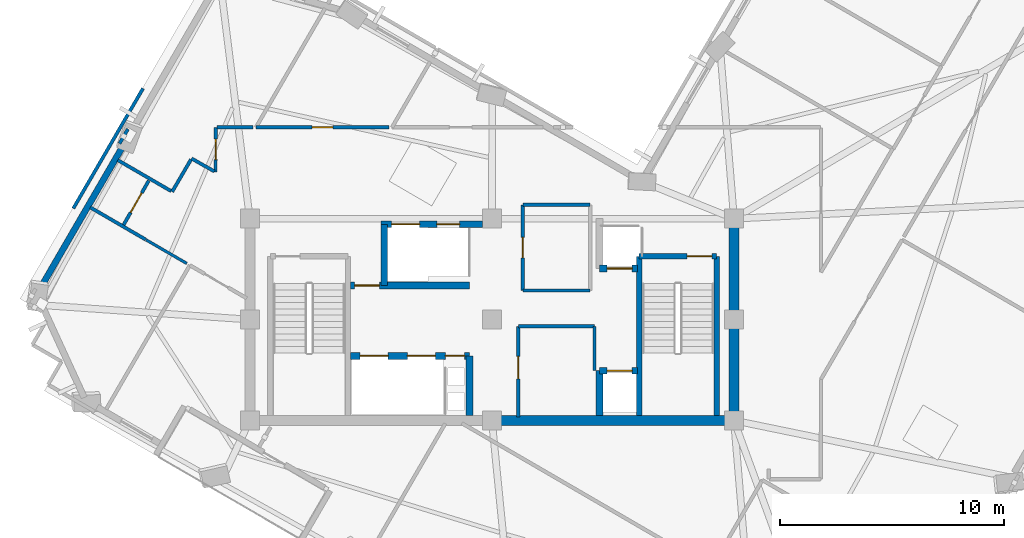
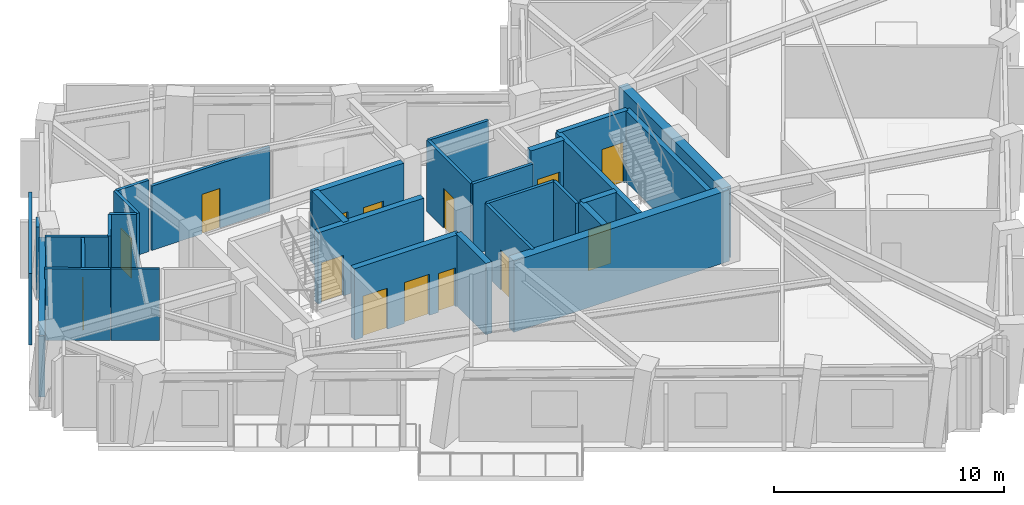
# One storey, part 5 of 12: 31 walls, 14 doors, 14 openings.
"""IFC4 building model written with IfcOpenShell, lengths in metres."""

import ifcopenshell
import ifcopenshell.guid

model = None  # the IFC model being written
_history = None  # IfcOwnerHistory: only IFC2X3 demands one
_inside = {}  # id of a spatial element -> (the spatial element, [elements in it])
_under = {}  # id of a project, library or spatial element -> (it, [spatial elements below it])
_declared = {}  # id of a project -> (the project, [libraries it declares])
_typed = {}  # id of a type object -> (the type object, [elements of that type])
_made_of = {}  # id of a material, layer set ... -> (it, [elements and type objects made of it])


def new_model(schema):
    """Start an empty IFC model of exactly this schema.

    Asked for "IFC4X3", IfcOpenShell would pick the latest addendum, in which some entities
    have other attributes; the version numbers below select the first issue.
    IFC2X3 requires an IfcOwnerHistory on every rooted entity: one is made here for all.
    """
    global model, _history
    if schema == "IFC4X3":
        model = ifcopenshell.file(schema_version=(4, 3, 0, 0))
    else:
        model = ifcopenshell.file(schema=schema)
    _inside.clear()
    _under.clear()
    _declared.clear()
    _typed.clear()
    _made_of.clear()
    _history = None
    if model.schema == "IFC2X3":
        org = make("IfcOrganization", Name="unknown")
        user = make(
            "IfcPersonAndOrganization",
            ThePerson=make("IfcPerson", FamilyName="unknown"),
            TheOrganization=org,
        )
        app = make(
            "IfcApplication",
            ApplicationDeveloper=org,
            Version="unknown",
            ApplicationFullName="unknown",
            ApplicationIdentifier="unknown",
        )
        _history = make(
            "IfcOwnerHistory",
            OwningUser=user,
            OwningApplication=app,
            ChangeAction="ADDED",
            CreationDate=0,
        )
    return model


def make(cls, **values):
    """One entity of the class cls with the attributes given. An attribute that is None is left unset."""
    return model.create_entity(
        cls, **{name: value for name, value in values.items() if value is not None}
    )


def rooted(cls, **values):
    """An entity with a GlobalId (a new one), such as an element, a storey or a relation."""
    return make(cls, GlobalId=ifcopenshell.guid.new(), OwnerHistory=_history, **values)


def si_unit(unit_type, name, prefix=None):
    """IfcSIUnit, for example si_unit("LENGTHUNIT", "METRE", prefix="MILLI")."""
    return make("IfcSIUnit", UnitType=unit_type, Prefix=prefix, Name=name)


def assignment(units):
    """IfcUnitAssignment: the units of a project."""
    return None if units is None else make("IfcUnitAssignment", Units=units)


def point(xyz):
    """IfcCartesianPoint."""
    return None if xyz is None else make("IfcCartesianPoint", Coordinates=xyz)


def direction(xyz):
    """IfcDirection."""
    return None if xyz is None else make("IfcDirection", DirectionRatios=xyz)


def frame(location, z_axis=None, x_axis=None):
    """IfcAxis2Placement3D, a coordinate frame: its origin and axes. An axis left out is left unset."""
    return make(
        "IfcAxis2Placement3D",
        Location=point(location),
        Axis=direction(z_axis),
        RefDirection=direction(x_axis),
    )


def frame_2d(location, x_axis=None):
    """IfcAxis2Placement2D, a coordinate frame in the plane: its origin and x axis."""
    return make(
        "IfcAxis2Placement2D", Location=point(location), RefDirection=direction(x_axis)
    )


def origin():
    """The frame at (0, 0, 0) with its axes left unset."""
    return frame((0.0, 0.0, 0.0))


def place(relative_to, where):
    """IfcLocalPlacement: puts the frame where relative to a parent placement (None: the world)."""
    return make(
        "IfcLocalPlacement", PlacementRelTo=relative_to, RelativePlacement=where
    )


def context(
    kind, dimensions, precision=None, world=None, true_north=None, identifier=None
):
    """IfcGeometricRepresentationContext, for example the 3D "Model" context."""
    return make(
        "IfcGeometricRepresentationContext",
        ContextIdentifier=identifier,
        ContextType=kind,
        CoordinateSpaceDimension=dimensions,
        Precision=precision,
        WorldCoordinateSystem=world,
        TrueNorth=true_north,
    )


def subcontext(parent, identifier, kind, view, scale=None):
    """IfcGeometricRepresentationSubContext, for example "Body" below "Model"."""
    return make(
        "IfcGeometricRepresentationSubContext",
        ContextIdentifier=identifier,
        ContextType=kind,
        ParentContext=parent,
        TargetScale=scale,
        TargetView=view,
    )


def project(units=None, contexts=None):
    """IfcProject with its units and contexts."""
    return rooted(
        "IfcProject",
        Name="project",
        RepresentationContexts=contexts,
        UnitsInContext=assignment(units),
    )


def spatial(cls, under=None, at=None, **own):
    """A site, building, storey or space (cls), placed at a placement, below another one or the project."""
    s = rooted(cls, ObjectPlacement=at, **own)
    if under is not None:
        _under.setdefault(under.id(), (under, []))[1].append(s)
    return s


def profile(cls, at=None, kind="AREA", **sizes):
    """A parametric profile (cls). Its sizes go by their IFC names, for example OverallWidth=200.0."""
    return make(cls, ProfileType=kind, Position=at, **sizes)


def rectangle(**sizes):
    """IfcRectangleProfileDef."""
    return profile("IfcRectangleProfileDef", **sizes)


def extrude(swept, where, along, depth):
    """IfcExtrudedAreaSolid: the profile swept, set in the frame where, extruded along a direction by depth."""
    return make(
        "IfcExtrudedAreaSolid",
        SweptArea=swept,
        Position=where,
        ExtrudedDirection=direction(along),
        Depth=depth,
    )


def shape(context_of_items, identifier, shape_type, items):
    """IfcShapeRepresentation: the items that make up one representation, for example the "Body"."""
    return make(
        "IfcShapeRepresentation",
        ContextOfItems=context_of_items,
        RepresentationIdentifier=identifier,
        RepresentationType=shape_type,
        Items=items,
    )


def material(Name=None, Category=None):
    """IfcMaterial."""
    return make("IfcMaterial", Name=Name, Category=Category)


def layer(
    of_material, thickness, ventilated=None, Name=None, Category=None, Priority=None
):
    """IfcMaterialLayer: one layer of a wall or slab, of a material (None: an air gap)."""
    return make(
        "IfcMaterialLayer",
        Material=of_material,
        LayerThickness=thickness,
        IsVentilated=ventilated,
        Name=Name,
        Category=Category,
        Priority=Priority,
    )


def layer_set(layers, Name=None):
    """IfcMaterialLayerSet."""
    return make("IfcMaterialLayerSet", MaterialLayers=layers, LayerSetName=Name)


def made_of(thing, what):
    """Note that an element or type object is made of a material, layer set ...; save() writes the relation."""
    if what is not None:
        _made_of.setdefault(what.id(), (what, []))[1].append(thing)
    return thing


def type_object(cls, material=None, **own):
    """A type object (cls), such as IfcWallType, which elements share."""
    return made_of(rooted(cls, **own), material)


def element(
    cls,
    number,
    at=None,
    inside=None,
    cuts=None,
    type_object=None,
    material=None,
    context=None,
    identifier="Body",
    shape_type=None,
    held_by="IfcProductDefinitionShape",
    body=None,
    shapes=None,
    **own,
):
    """One element of the class cls, such as IfcWall. Its Tag is "e" and its number.

    at: its placement. inside: the storey or other place that contains it. cuts: it is an
    opening in that element (IfcRelVoidsElement). A single representation is given by context,
    identifier, shape_type and body (its items); several are given by shapes. held_by: the class
    of the entity that holds the representations. save() writes the other relations.
    """
    e = rooted(cls, Tag="e%d" % number, ObjectPlacement=at, **own)
    if body is not None:
        shapes = [shape(context, identifier, shape_type, body)]
    if shapes is not None:
        e.Representation = make(held_by, Representations=shapes)
    if inside is not None:
        _inside.setdefault(inside.id(), (inside, []))[1].append(e)
    if cuts is not None:
        rooted(
            "IfcRelVoidsElement", RelatingBuildingElement=cuts, RelatedOpeningElement=e
        )
    if type_object is not None:
        _typed.setdefault(type_object.id(), (type_object, []))[1].append(e)
    return made_of(e, material)


def fill(opening, filler):
    """IfcRelFillsElement: the door or window that sits in an opening."""
    return rooted(
        "IfcRelFillsElement",
        RelatingOpeningElement=opening,
        RelatedBuildingElement=filler,
    )


def aggregate(whole, parts):
    """IfcRelAggregates: a whole, such as a stair, and the parts it consists of."""
    return rooted("IfcRelAggregates", RelatingObject=whole, RelatedObjects=parts)


def save(model, path):
    """Write the relations noted so far, then the file.

    IfcRelAggregates (storeys below a building ...), IfcRelContainedInSpatialStructure (elements
    in a storey), IfcRelDefinesByType, IfcRelAssociatesMaterial and IfcRelDeclares: one each for
    every whole, place, type object, material and project.
    """
    for whole, parts in _under.values():
        aggregate(whole, parts)
    for where, things in _inside.values():
        rooted(
            "IfcRelContainedInSpatialStructure",
            RelatedElements=things,
            RelatingStructure=where,
        )
    for kind, things in _typed.values():
        rooted("IfcRelDefinesByType", RelatedObjects=things, RelatingType=kind)
    for what, things in _made_of.values():
        rooted("IfcRelAssociatesMaterial", RelatedObjects=things, RelatingMaterial=what)
    for by, libraries in _declared.values():
        rooted("IfcRelDeclares", RelatingContext=by, RelatedDefinitions=libraries)
    model.write(path)


model = new_model("IFC4")

# Units and contexts
model_context = context("Model", 3, precision=1e-05, world=origin(), true_north=direction((0.0, 1.0)))
body_context = subcontext(model_context, "Body", "Model", "MODEL_VIEW")
ifc_project = project(units=[si_unit("LENGTHUNIT", "METRE"), si_unit("AREAUNIT", "SQUARE_METRE"), si_unit("VOLUMEUNIT", "CUBIC_METRE"), si_unit("PLANEANGLEUNIT", "RADIAN"), si_unit("MASSUNIT", "GRAM", prefix="KILO")], contexts=[model_context])

# Site, building, storey
site_placement = place(None, origin())
site = spatial("IfcSite", under=ifc_project, at=site_placement, CompositionType="ELEMENT")
building_placement = place(site_placement, origin())
building = spatial("IfcBuilding", under=site, at=building_placement, Name="Gaonmaruhae Medical Tower", CompositionType="ELEMENT")
storey_placement = place(building_placement, frame((0.0, 0.0, 280.60009765625)))
storey = spatial("IfcBuildingStorey", under=building, at=storey_placement, Name="L67", CompositionType="ELEMENT", Elevation=280.60009765625)

# Walls
ifc_material_1 = material(Name="Concrete C50/60", Category="concrete")
ifc_layer_1 = layer(ifc_material_1, 0.449951171875)
ifc_layer_set_1 = layer_set([ifc_layer_1], Name="Concrete C50/60")
wall_type_1 = type_object("IfcWallType", Name="CW-450 Upper Core Shear Wall", PredefinedType="SHEAR", material=ifc_layer_set_1)
wall_1_placement = place(storey_placement, frame((24.800048828125, 7.800048828125, 0.0), z_axis=(0.0, 0.0, 1.0), x_axis=(1.0, 0.0, 0.0)))
element("IfcWall", 1, at=wall_1_placement, inside=storey, type_object=wall_type_1, Name="L67 Core Shear Wall CSW-S2", PredefinedType="SHEAR", context=body_context, shape_type="SweptSolid", body=[
    extrude(rectangle(XDim=10.800048828125, YDim=0.449951171875, at=frame_2d((5.39990234375, 0.0))), origin(), (0.0, 0.0, 1.0), 3.77978515625),
])
wall_2_placement = place(storey_placement, frame((35.60009765625, 7.800048828125, 0.0), z_axis=(0.0, 0.0, 1.0), x_axis=(0.0, 1.0, 0.0)))
element("IfcWall", 2, at=wall_2_placement, inside=storey, type_object=wall_type_1, Name="L67 Core Shear Wall CSW-E1", PredefinedType="SHEAR", context=body_context, shape_type="SweptSolid", body=[
    extrude(rectangle(XDim=9.0, YDim=0.449951171875, at=frame_2d((4.5, 0.0))), origin(), (0.0, 0.0, 1.0), 3.77978515625),
])
ifc_material_2 = material(Name="Precast concrete C45/55", Category="concrete")
ifc_layer_2 = layer(ifc_material_2, 0.280029296875)
ifc_layer_set_2 = layer_set([ifc_layer_2], Name="Precast concrete C45/55")
wall_type_2 = type_object("IfcWallType", Name="EW-280 Upper Precast Masonry-Frame Facade Wall", PredefinedType="SOLIDWALL", material=ifc_layer_set_2)
wall_3_placement = place(storey_placement, frame((4.59228515625, 13.583984375, 0.0), z_axis=(0.0, 0.0, 1.0), x_axis=(0.502274010262, 0.864708516562, 0.0)))
element("IfcWall", 3, at=wall_3_placement, inside=storey, type_object=wall_type_2, Name="L67 Precast Masonry-Frame Wall N02-N03", PredefinedType="SOLIDWALL", context=body_context, shape_type="SweptSolid", body=[
    extrude(rectangle(XDim=7.484619140625, YDim=0.280029296875, at=frame_2d((3.7421875, 0.0))), origin(), (0.0, 0.0, 1.0), 3.264892578125),
])
ifc_material_3 = material(Name="Gypsum board partition", Category="gypsum")
ifc_layer_3 = layer(ifc_material_3, 0.125)
ifc_layer_set_3 = layer_set([ifc_layer_3], Name="Gypsum board partition")
wall_type_3 = type_object("IfcWallType", Name="PW-125 Ward & En-Suite Acoustic Partition", PredefinedType="PARTITIONING", material=ifc_layer_set_3)
wall_4_placement = place(storey_placement, frame((9.3720703125, 15.85888671875, 0.0), z_axis=(0.0, 0.0, 1.0), x_axis=(0.864881773896, -0.501975614131, 0.0)))
element("IfcWall", 4, at=wall_4_placement, inside=storey, type_object=wall_type_3, Name="L67 Interior Partition L67-ENS01-51", PredefinedType="PARTITIONING", context=body_context, shape_type="SweptSolid", body=[
    extrude(rectangle(XDim=2.099609375, YDim=0.125, at=frame_2d((1.0498046875, 0.0))), origin(), (0.0, 0.0, 1.0), 3.77978515625),
])

# Wall, opening, door
ifc_layer_4 = layer(ifc_material_3, 0.14990234375)
ifc_layer_set_4 = layer_set([ifc_layer_4], Name="Gypsum board partition")
wall_type_4 = type_object("IfcWallType", Name="PW-150 Rated Clinical Corridor Partition", PredefinedType="PARTITIONING", material=ifc_layer_set_4)
wall_5_placement = place(storey_placement, frame((25.97998046875, 7.9599609375, 0.0), z_axis=(0.0, 0.0, 1.0), x_axis=(0.0, 1.0, 0.0)))
wall_5 = element("IfcWall", 5, at=wall_5_placement, inside=storey, type_object=wall_type_4, Name="L67 Interior Partition L67-RCL1-1", PredefinedType="PARTITIONING", context=body_context, shape_type="SweptSolid", body=[
    extrude(rectangle(XDim=4.0400390625, YDim=0.14990234375, at=frame_2d((2.02001953125, 0.0))), origin(), (0.0, 0.0, 1.0), 3.77978515625),
])
opening_1_placement = place(wall_5_placement, frame((1.695068359375, 0.0, 0.0)))
opening_1 = element("IfcOpeningElement", 6, at=opening_1_placement, cuts=wall_5, Name="Opening CD-01", PredefinedType="OPENING", context=body_context, shape_type="SweptSolid", body=[
    extrude(rectangle(XDim=1.0, YDim=2.1201171875, at=frame_2d((0.5, 1.06005859375))), frame((0.0, 0.0849609375, 0.0), z_axis=(0.0, -1.0, 0.0), x_axis=(1.0, 0.0, 0.0)), (0.0, 0.0, 1.0), 0.169921875),
])
ifc_material_4 = material(Name="Antimicrobial laminate timber fire door", Category="wood")
door_type_1 = type_object("IfcDoorType", Name="CD-01 Consultation & Physician Office Door 1000x2120", OperationType="NOTDEFINED", PredefinedType="DOOR", material=ifc_material_4)
door_1_placement = place(opening_1_placement, origin())
door_1 = element("IfcDoor", 7, at=door_1_placement, inside=storey, type_object=door_type_1, Name="L67 Clinical Telemetry and Medication Room Door", OperationType="SINGLE_SWING_LEFT", OverallHeight=2.1201171875, OverallWidth=1.0, PredefinedType="DOOR", context=body_context, shape_type="SweptSolid", body=[
    extrude(rectangle(XDim=1.0, YDim=2.1201171875, at=frame_2d((0.5, 1.06005859375))), frame((0.0, 0.02490234375, 0.0), z_axis=(0.0, -1.0, 0.0), x_axis=(1.0, 0.0, 0.0)), (0.0, 0.0, 1.0), 0.050048828125),
])
fill(opening_1, door_1)

# Walls
wall_6_placement = place(storey_placement, frame((25.97998046875, 12.0, 0.0), z_axis=(0.0, 0.0, 1.0), x_axis=(1.0, 0.0, 0.0)))
element("IfcWall", 8, at=wall_6_placement, inside=storey, type_object=wall_type_4, Name="L67 Interior Partition L67-RCL1-2", PredefinedType="PARTITIONING", context=body_context, shape_type="SweptSolid", body=[
    extrude(rectangle(XDim=3.39990234375, YDim=0.14990234375, at=frame_2d((1.699951171875, 0.0))), origin(), (0.0, 0.0, 1.0), 3.77978515625),
])
wall_7_placement = place(storey_placement, frame((29.3798828125, 12.0, 0.0), z_axis=(0.0, 0.0, 1.0), x_axis=(0.0, -1.0, 0.0)))
element("IfcWall", 9, at=wall_7_placement, inside=storey, type_object=wall_type_4, Name="L67 Interior Partition L67-RCL1-3", PredefinedType="PARTITIONING", context=body_context, shape_type="SweptSolid", body=[
    extrude(rectangle(XDim=1.97998046875, YDim=0.14990234375, at=frame_2d((0.989990234375, 0.0))), origin(), (0.0, 0.0, 1.0), 3.77978515625),
])

# Wall, opening, door
wall_8_placement = place(storey_placement, frame((26.179931640625, 13.60009765625, 0.0), z_axis=(0.0, 0.0, 1.0), x_axis=(0.0, 1.0, 0.0)))
wall_8 = element("IfcWall", 10, at=wall_8_placement, inside=storey, type_object=wall_type_4, Name="L67 Interior Partition L67-RCL2-4", PredefinedType="PARTITIONING", context=body_context, shape_type="SweptSolid", body=[
    extrude(rectangle(XDim=3.81982421875, YDim=0.14990234375, at=frame_2d((1.909912109375, 0.0))), origin(), (0.0, 0.0, 1.0), 3.77978515625),
])
opening_2_placement = place(wall_8_placement, frame((1.449951171875, 0.0, 0.0)))
opening_2 = element("IfcOpeningElement", 11, at=opening_2_placement, cuts=wall_8, Name="Opening UD-01", PredefinedType="OPENING", context=body_context, shape_type="SweptSolid", body=[
    extrude(rectangle(XDim=0.919921875, YDim=2.10009765625, at=frame_2d((0.4599609375, 1.050048828125))), frame((0.0, 0.0849609375, 0.0), z_axis=(0.0, -1.0, 0.0), x_axis=(1.0, 0.0, 0.0)), (0.0, 0.0, 1.0), 0.169921875),
])
ifc_material_5 = material(Name="Powder-coated steel utility door", Category="steel")
door_type_2 = type_object("IfcDoorType", Name="UD-01 Toilet, Utility & Housekeeping Door 920x2100", OperationType="NOTDEFINED", PredefinedType="DOOR", material=ifc_material_5)
door_2_placement = place(opening_2_placement, origin())
door_2 = element("IfcDoor", 12, at=door_2_placement, inside=storey, type_object=door_type_2, Name="L67 Accessible Staff Toilet Door", OperationType="SINGLE_SWING_RIGHT", OverallHeight=2.10009765625, OverallWidth=0.919921875, PredefinedType="DOOR", context=body_context, shape_type="SweptSolid", body=[
    extrude(rectangle(XDim=0.919921875, YDim=2.10009765625, at=frame_2d((0.4599609375, 1.050048828125))), frame((0.0, 0.02490234375, 0.0), z_axis=(0.0, -1.0, 0.0), x_axis=(1.0, 0.0, 0.0)), (0.0, 0.0, 1.0), 0.050048828125),
])
fill(opening_2, door_2)

# Walls
for number, where, z_axis, x_axis, name in (
    (13, (26.179931640625, 17.419921875, 0.0), (0.0, 0.0, 1.0), (1.0, 0.0, 0.0), "L67 Interior Partition L67-RCL2-5"),
    (14, (29.179931640625, 13.60009765625, 0.0), (0.0, 0.0, 1.0), (-1.0, 0.0, 0.0), "L67 Interior Partition L67-RCL2-7"),
):
    element("IfcWall", number, at=place(storey_placement, frame(where, z_axis=z_axis, x_axis=x_axis)), inside=storey, type_object=wall_type_4, Name=name, PredefinedType="PARTITIONING", context=body_context, shape_type="SweptSolid", body=[
        extrude(rectangle(XDim=3.0, YDim=0.14990234375, at=frame_2d((1.5, 0.0))), origin(), (0.0, 0.0, 1.0), 3.77978515625),
    ])
wall_9_placement = place(storey_placement, frame((6.885986328125, 17.303955078125, 0.0), z_axis=(0.0, 0.0, 1.0), x_axis=(0.864667908534, -0.502343914019, 0.0)))
element("IfcWall", 15, at=wall_9_placement, inside=storey, type_object=wall_type_4, Name="L67 Interior Partition L67-BR01-44", PredefinedType="PARTITIONING", context=body_context, shape_type="SweptSolid", body=[
    extrude(rectangle(XDim=2.854248046875, YDim=0.14990234375, at=frame_2d((1.42724609375, 0.0))), origin(), (0.0, 0.0, 1.0), 3.77978515625),
])

# Wall, opening, door
wall_10_placement = place(storey_placement, frame((20.2099609375, 20.8798828125, 0.0), z_axis=(0.0, 0.0, 1.0), x_axis=(-1.0, 0.0, 0.0)))
wall_10 = element("IfcWall", 16, at=wall_10_placement, inside=storey, type_object=wall_type_4, Name="L67 Interior Partition L67-IN02-63", PredefinedType="PARTITIONING", context=body_context, shape_type="SweptSolid", body=[
    extrude(rectangle(XDim=5.932861328125, YDim=0.14990234375, at=frame_2d((2.96630859375, 0.0))), origin(), (0.0, 0.0, 1.0), 3.414794921875),
])
opening_3_placement = place(wall_10_placement, frame((2.506591796875, 0.0, 0.0)))
opening_3 = element("IfcOpeningElement", 17, at=opening_3_placement, cuts=wall_10, Name="Opening UD-01", PredefinedType="OPENING", context=body_context, shape_type="SweptSolid", body=[
    extrude(rectangle(XDim=0.919921875, YDim=2.10009765625, at=frame_2d((0.4599609375, 1.050048828125))), frame((0.0, 0.0849609375, 0.0), z_axis=(0.0, -1.0, 0.0), x_axis=(1.0, 0.0, 0.0)), (0.0, 0.0, 1.0), 0.169921875),
])
door_3_placement = place(opening_3_placement, origin())
door_3 = element("IfcDoor", 18, at=door_3_placement, inside=storey, type_object=door_type_2, Name="L67 Ward Nutrition Pantry Door", OperationType="SINGLE_SWING_LEFT", OverallHeight=2.10009765625, OverallWidth=0.919921875, PredefinedType="DOOR", context=body_context, shape_type="SweptSolid", body=[
    extrude(rectangle(XDim=0.919921875, YDim=2.10009765625, at=frame_2d((0.4599609375, 1.050048828125))), frame((0.0, 0.02490234375, 0.0), z_axis=(0.0, -1.0, 0.0), x_axis=(1.0, 0.0, 0.0)), (0.0, 0.0, 1.0), 0.050048828125),
])
fill(opening_3, door_3)

wall_11_placement = place(storey_placement, frame((12.48291015625, 20.875, 0.0), z_axis=(0.0, 0.0, 1.0), x_axis=(-0.006492574166, -0.999978923018, 0.0)))
wall_11 = element("IfcWall", 19, at=wall_11_placement, inside=storey, type_object=wall_type_4, Name="L67 Interior Partition L67-IN03-67", PredefinedType="PARTITIONING", context=body_context, shape_type="SweptSolid", body=[
    extrude(rectangle(XDim=1.992919921875, YDim=0.14990234375, at=frame_2d((0.99658203125, 0.0))), origin(), (0.0, 0.0, 1.0), 3.77978515625),
])
opening_4_placement = place(wall_11_placement, frame((0.52099609375, 0.0, 0.0)))
opening_4 = element("IfcOpeningElement", 20, at=opening_4_placement, cuts=wall_11, Name="Opening UD-01", PredefinedType="OPENING", context=body_context, shape_type="SweptSolid", body=[
    extrude(rectangle(XDim=0.919921875, YDim=2.10009765625, at=frame_2d((0.4599609375, 1.050048828125))), frame((0.0, 0.0849609375, 0.0), z_axis=(0.0, -1.0, 0.0), x_axis=(1.0, 0.0, 0.0)), (0.0, 0.0, 1.0), 0.169921875),
])
door_4_placement = place(opening_4_placement, origin())
door_4 = element("IfcDoor", 21, at=door_4_placement, inside=storey, type_object=door_type_2, Name="L67 Public Visitor Toilet Door", OperationType="SINGLE_SWING_LEFT", OverallHeight=2.10009765625, OverallWidth=0.919921875, PredefinedType="DOOR", context=body_context, shape_type="SweptSolid", body=[
    extrude(rectangle(XDim=0.919921875, YDim=2.10009765625, at=frame_2d((0.4599609375, 1.050048828125))), frame((0.0, 0.02490234375, 0.0), z_axis=(0.0, -1.0, 0.0), x_axis=(1.0, 0.0, 0.0)), (0.0, 0.0, 1.0), 0.050048828125),
])
fill(opening_4, door_4)

# Walls
wall_12_placement = place(storey_placement, frame((12.419921875, 18.909912109375, 0.0), z_axis=(0.0, 0.0, 1.0), x_axis=(-0.870037118889, 0.492986218626, 0.0)))
element("IfcWall", 22, at=wall_12_placement, inside=storey, type_object=wall_type_4, Name="L67 Interior Partition L67-IN03-68", PredefinedType="PARTITIONING", context=body_context, shape_type="SweptSolid", body=[
    extrude(rectangle(XDim=1.168701171875, YDim=0.14990234375, at=frame_2d((0.58447265625, 0.0))), origin(), (0.0, 0.0, 1.0), 3.77978515625),
])
wall_13_placement = place(storey_placement, frame((11.3779296875, 19.443115234375, 0.0), z_axis=(0.0, 0.0, 1.0), x_axis=(-0.504699947851, -0.863294829498, 0.0)))
element("IfcWall", 23, at=wall_13_placement, inside=storey, type_object=wall_type_4, Name="L67 Interior Partition L67-IN03-69", PredefinedType="PARTITIONING", context=body_context, shape_type="SweptSolid", body=[
    extrude(rectangle(XDim=1.666015625, YDim=0.14990234375, at=frame_2d((0.8330078125, 0.0))), origin(), (0.0, 0.0, 1.0), 3.77978515625),
])
wall_14_placement = place(storey_placement, frame((10.493896484375, 18.030029296875, 0.0), z_axis=(0.0, 0.0, 1.0), x_axis=(-0.864715714853, 0.502261617572, 0.0)))
element("IfcWall", 24, at=wall_14_placement, inside=storey, type_object=wall_type_4, Name="L67 Interior Partition L67-IN03-70", PredefinedType="PARTITIONING", context=body_context, shape_type="SweptSolid", body=[
    extrude(rectangle(XDim=2.755615234375, YDim=0.14990234375, at=frame_2d((1.3779296875, 0.0))), origin(), (0.0, 0.0, 1.0), 3.77978515625),
])
wall_15_placement = place(storey_placement, frame((8.18701171875, 20.152099609375, 0.0), z_axis=(0.0, 0.0, 1.0), x_axis=(0.502040893347, 0.864843882679, 0.0)))
element("IfcWall", 25, at=wall_15_placement, inside=storey, type_object=wall_type_4, Name="L67 Interior Partition L67-IN03-71", PredefinedType="PARTITIONING", context=body_context, shape_type="SweptSolid", body=[
    extrude(rectangle(XDim=0.7470703125, YDim=0.14990234375, at=frame_2d((0.37353515625, 0.0))), origin(), (0.0, 0.0, 1.0), 3.77978515625),
])
wall_16_placement = place(storey_placement, frame((14.137939453125, 20.8798828125, 0.0), z_axis=(0.0, 0.0, 1.0), x_axis=(-0.999995372275, -0.003042273722, 0.0)))
element("IfcWall", 26, at=wall_16_placement, inside=storey, type_object=wall_type_4, Name="L67 Interior Partition L67-IN03-76", PredefinedType="PARTITIONING", context=body_context, shape_type="SweptSolid", body=[
    extrude(rectangle(XDim=1.60498046875, YDim=0.14990234375, at=frame_2d((0.802490234375, 0.0))), origin(), (0.0, 0.0, 1.0), 3.77978515625),
])

# Wall, opening, door
wall_17_placement = place(storey_placement, frame((9.491943359375, 18.49609375, 0.0), z_axis=(0.0, 0.0, 1.0), x_axis=(-0.495025964314, -0.868878181712, 0.0)))
wall_17 = element("IfcWall", 27, at=wall_17_placement, inside=storey, type_object=wall_type_4, Name="L67 Interior Partition L67-RM02-78", PredefinedType="PARTITIONING", context=body_context, shape_type="SweptSolid", body=[
    extrude(rectangle(XDim=2.2685546875, YDim=0.14990234375, at=frame_2d((1.13427734375, 0.0))), origin(), (0.0, 0.0, 1.0), 3.77978515625),
])
opening_5_placement = place(wall_17_placement, frame((0.63427734375, 0.0, 0.0)))
opening_5 = element("IfcOpeningElement", 28, at=opening_5_placement, cuts=wall_17, Name="Opening CD-01", PredefinedType="OPENING", context=body_context, shape_type="SweptSolid", body=[
    extrude(rectangle(XDim=1.0, YDim=2.1201171875, at=frame_2d((0.5, 1.06005859375))), frame((0.0, 0.0849609375, 0.0), z_axis=(0.0, -1.0, 0.0), x_axis=(1.0, 0.0, 0.0)), (0.0, 0.0, 1.0), 0.169921875),
])
door_5_placement = place(opening_5_placement, origin())
door_5 = element("IfcDoor", 29, at=door_5_placement, inside=storey, type_object=door_type_1, Name="L67 Care Team Clinical Charting Office Door", OperationType="SINGLE_SWING_LEFT", OverallHeight=2.1201171875, OverallWidth=1.0, PredefinedType="DOOR", context=body_context, shape_type="SweptSolid", body=[
    extrude(rectangle(XDim=1.0, YDim=2.1201171875, at=frame_2d((0.5, 1.06005859375))), frame((0.0, 0.02490234375, 0.0), z_axis=(0.0, -1.0, 0.0), x_axis=(1.0, 0.0, 0.0)), (0.0, 0.0, 1.0), 0.050048828125),
])
fill(opening_5, door_5)

# Wall
wall_18_placement = place(storey_placement, frame((6.1259765625, 17.259033203125, 0.0), z_axis=(0.0, 0.0, 1.0), x_axis=(0.502246830531, 0.864724303591, 0.0)))
element("IfcWall", 30, at=wall_18_placement, inside=storey, type_object=wall_type_4, Name="L67 Interior Partition L67-RM02-79", PredefinedType="PARTITIONING", context=body_context, shape_type="SweptSolid", body=[
    extrude(rectangle(XDim=6.1904296875, YDim=0.14990234375, at=frame_2d((3.09521484375, 0.0))), origin(), (0.0, 0.0, 1.0), 3.77978515625),
])

# Wall, opening, door
ifc_layer_5 = layer(ifc_material_1, 0.239990234375)
ifc_layer_set_5 = layer_set([ifc_layer_5], Name="Concrete C50/60")
wall_type_5 = type_object("IfcWallType", Name="SW-240 Dogleg Stair Tight Shaft Wall", PredefinedType="SOLIDWALL", material=ifc_layer_set_5)
wall_19_placement = place(storey_placement, frame((31.3701171875, 15.1201171875, 0.0), z_axis=(0.0, 0.0, 1.0), x_axis=(1.0, 0.0, 0.0)))
wall_19 = element("IfcWall", 31, at=wall_19_placement, inside=storey, type_object=wall_type_5, Name="L67 ST-02 Stair Shaft Wall SHW-ST-02-N", PredefinedType="SOLIDWALL", context=body_context, shape_type="SweptSolid", body=[
    extrude(rectangle(XDim=3.4599609375, YDim=0.239990234375, at=frame_2d((1.72998046875, 0.0))), origin(), (0.0, 0.0, 1.0), 3.77978515625),
])
opening_6_placement = place(wall_19_placement, frame((2.139892578125, 0.0, 0.0)))
opening_6 = element("IfcOpeningElement", 32, at=opening_6_placement, cuts=wall_19, Name="Opening FD-01", PredefinedType="OPENING", context=body_context, shape_type="SweptSolid", body=[
    extrude(rectangle(XDim=1.10009765625, YDim=2.14990234375, at=frame_2d((0.550048828125, 1.074951171875))), frame((0.0, 0.1298828125, 0.0), z_axis=(0.0, -1.0, 0.0), x_axis=(1.0, 0.0, 0.0)), (0.0, 0.0, 1.0), 0.260009765625),
])
ifc_material_6 = material(Name="Powder-coated steel fire door", Category="steel")
door_type_3 = type_object("IfcDoorType", Name="FD-01 Escape Stair Protected Fire Door 1100x2150", OperationType="NOTDEFINED", PredefinedType="DOOR", material=ifc_material_6)
door_6_placement = place(opening_6_placement, origin())
door_6 = element("IfcDoor", 33, at=door_6_placement, inside=storey, type_object=door_type_3, Name="L67 ST-02 Protected Escape Stair Door", OperationType="SINGLE_SWING_RIGHT", OverallHeight=2.14990234375, OverallWidth=1.10009765625, PredefinedType="DOOR", context=body_context, shape_type="SweptSolid", body=[
    extrude(rectangle(XDim=1.10009765625, YDim=2.14990234375, at=frame_2d((0.550048828125, 1.074951171875))), frame((0.0, 0.02490234375, 0.0), z_axis=(0.0, -1.0, 0.0), x_axis=(1.0, 0.0, 0.0)), (0.0, 0.0, 1.0), 0.050048828125),
])
fill(opening_6, door_6)

# Walls
for number, where, z_axis, x_axis, name in (
    (34, (34.830078125, 15.1201171875, 0.0), (0.0, 0.0, 1.0), (0.0, -1.0, 0.0), "L67 ST-02 Stair Shaft Wall SHW-ST-02-E"),
    (35, (31.3701171875, 8.02490234375, 0.0), (0.0, 0.0, 1.0), (0.0, 1.0, 0.0), "L67 ST-02 Stair Shaft Wall SHW-ST-02-W"),
):
    element("IfcWall", number, at=place(storey_placement, frame(where, z_axis=z_axis, x_axis=x_axis)), inside=storey, type_object=wall_type_5, Name=name, PredefinedType="SOLIDWALL", context=body_context, shape_type="SweptSolid", body=[
        extrude(rectangle(XDim=7.09521484375, YDim=0.239990234375, at=frame_2d((3.547607421875, 0.0))), origin(), (0.0, 0.0, 1.0), 3.77978515625),
    ])

# Wall, openings, doors
ifc_layer_6 = layer(ifc_material_1, 0.300048828125)
ifc_layer_set_6 = layer_set([ifc_layer_6], Name="Concrete C50/60")
wall_type_6 = type_object("IfcWallType", Name="SW-300 Stair & Lift Hoistway Shaft Wall", PredefinedType="SOLIDWALL", material=ifc_layer_set_6)
wall_20_placement = place(storey_placement, frame((19.85009765625, 16.550048828125, 0.0), z_axis=(0.0, 0.0, 1.0), x_axis=(1.0, 0.0, 0.0)))
wall_20 = element("IfcWall", 36, at=wall_20_placement, inside=storey, type_object=wall_type_6, Name="L67 Core Shear Wall CSW-NB", PredefinedType="SOLIDWALL", context=body_context, shape_type="SweptSolid", body=[
    extrude(rectangle(XDim=4.52490234375, YDim=0.300048828125, at=frame_2d((2.262451171875, 0.0))), origin(), (0.0, 0.0, 1.0), 3.77978515625),
])
opening_7_placement = place(wall_20_placement, frame((0.47509765625, 0.0, 0.0)))
opening_7 = element("IfcOpeningElement", 37, at=opening_7_placement, cuts=wall_20, Name="Opening LD-F1", PredefinedType="OPENING", context=body_context, shape_type="SweptSolid", body=[
    extrude(rectangle(XDim=1.25, YDim=2.179931640625, at=frame_2d((0.625, 1.08984375))), frame((0.0, 0.16015625, 0.0), z_axis=(0.0, -1.0, 0.0), x_axis=(1.0, 0.0, 0.0)), (0.0, 0.0, 1.0), 0.320068359375),
])
opening_8_placement = place(wall_20_placement, frame((2.489990234375, 0.0, 0.0)))
opening_8 = element("IfcOpeningElement", 38, at=opening_8_placement, cuts=wall_20, Name="Opening LD-S1", PredefinedType="OPENING", context=body_context, shape_type="SweptSolid", body=[
    extrude(rectangle(XDim=1.02001953125, YDim=2.1201171875, at=frame_2d((0.510009765625, 1.06005859375))), frame((0.0, 0.16015625, 0.0), z_axis=(0.0, -1.0, 0.0), x_axis=(1.0, 0.0, 0.0)), (0.0, 0.0, 1.0), 0.320068359375),
])
ifc_material_7 = material(Name="Brushed stainless steel 316L landing door", Category="steel")
door_type_4 = type_object("IfcDoorType", Name="LD-F1 Firefighting & Bed Lift Sliding Landing Door 1250x2180", OperationType="NOTDEFINED", PredefinedType="DOOR", material=ifc_material_7)
door_7_placement = place(opening_7_placement, origin())
door_7 = element("IfcDoor", 39, at=door_7_placement, inside=storey, type_object=door_type_4, Name="L67 Service/Bed Lift Landing Door BDL-01", OperationType="DOUBLE_DOOR_SLIDING", OverallHeight=2.179931640625, OverallWidth=1.25, PredefinedType="DOOR", context=body_context, shape_type="SweptSolid", body=[
    extrude(rectangle(XDim=1.25, YDim=2.179931640625, at=frame_2d((0.625, 1.08984375))), frame((0.0, 0.02490234375, 0.0), z_axis=(0.0, -1.0, 0.0), x_axis=(1.0, 0.0, 0.0)), (0.0, 0.0, 1.0), 0.050048828125),
])
fill(opening_7, door_7)
ifc_material_8 = material(Name="Brushed stainless steel 304 landing door", Category="steel")
door_type_5 = type_object("IfcDoorType", Name="LD-S1 Service Lift Sliding Landing Door 1020x2120", OperationType="NOTDEFINED", PredefinedType="DOOR", material=ifc_material_8)
door_8_placement = place(opening_8_placement, origin())
door_8 = element("IfcDoor", 40, at=door_8_placement, inside=storey, type_object=door_type_5, Name="L67 Service/Bed Lift Landing Door SVL-01", OperationType="SLIDING_TO_LEFT", OverallHeight=2.1201171875, OverallWidth=1.02001953125, PredefinedType="DOOR", context=body_context, shape_type="SweptSolid", body=[
    extrude(rectangle(XDim=1.02001953125, YDim=2.1201171875, at=frame_2d((0.510009765625, 1.06005859375))), frame((0.0, 0.02490234375, 0.0), z_axis=(0.0, -1.0, 0.0), x_axis=(1.0, 0.0, 0.0)), (0.0, 0.0, 1.0), 0.050048828125),
])
fill(opening_8, door_8)

wall_21_placement = place(storey_placement, frame((18.5, 10.679931640625, 0.0), z_axis=(0.0, 0.0, 1.0), x_axis=(1.0, 0.0, 0.0)))
wall_21 = element("IfcWall", 41, at=wall_21_placement, inside=storey, type_object=wall_type_6, Name="L67 Shaft Enclosure Wall SHW-FFN", PredefinedType="SOLIDWALL", context=body_context, shape_type="SweptSolid", body=[
    extrude(rectangle(XDim=5.300048828125, YDim=0.300048828125, at=frame_2d((2.64990234375, 0.0))), origin(), (0.0, 0.0, 1.0), 3.77978515625),
])
opening_9_placement = place(wall_21_placement, frame((4.219970703125, 0.0, 0.0)))
opening_9 = element("IfcOpeningElement", 42, at=opening_9_placement, cuts=wall_21, Name="Opening AD-01", PredefinedType="OPENING", context=body_context, shape_type="SweptSolid", body=[
    extrude(rectangle(XDim=0.860107421875, YDim=2.06005859375, at=frame_2d((0.43017578125, 1.030029296875))), frame((0.0, 0.16015625, 0.0), z_axis=(0.0, -1.0, 0.0), x_axis=(1.0, 0.0, 0.0)), (0.0, 0.0, 1.0), 0.320068359375),
])
opening_10_placement = place(wall_21_placement, frame((0.425048828125, 0.0, 0.0)))
opening_10 = element("IfcOpeningElement", 43, at=opening_10_placement, cuts=wall_21, Name="Opening LD-F1", PredefinedType="OPENING", context=body_context, shape_type="SweptSolid", body=[
    extrude(rectangle(XDim=1.25, YDim=2.179931640625, at=frame_2d((0.625, 1.08984375))), frame((0.0, 0.16015625, 0.0), z_axis=(0.0, -1.0, 0.0), x_axis=(1.0, 0.0, 0.0)), (0.0, 0.0, 1.0), 0.320068359375),
])
opening_11_placement = place(wall_21_placement, frame((2.52490234375, 0.0, 0.0)))
opening_11 = element("IfcOpeningElement", 44, at=opening_11_placement, cuts=wall_21, Name="Opening LD-F1", PredefinedType="OPENING", context=body_context, shape_type="SweptSolid", body=[
    extrude(rectangle(XDim=1.25, YDim=2.179931640625, at=frame_2d((0.625, 1.08984375))), frame((0.0, 0.16015625, 0.0), z_axis=(0.0, -1.0, 0.0), x_axis=(1.0, 0.0, 0.0)), (0.0, 0.0, 1.0), 0.320068359375),
])
ifc_material_9 = material(Name="Powder-coated steel access door", Category="steel")
door_type_6 = type_object("IfcDoorType", Name="AD-01 Riser & Closet Access Fire Door 860x2060", OperationType="NOTDEFINED", PredefinedType="DOOR", material=ifc_material_9)
door_9_placement = place(opening_9_placement, origin())
door_9 = element("IfcDoor", 45, at=door_9_placement, inside=storey, type_object=door_type_6, Name="L67 Medical Gas and MEP Riser Access Door", OperationType="SINGLE_SWING_RIGHT", OverallHeight=2.06005859375, OverallWidth=0.860107421875, PredefinedType="DOOR", context=body_context, shape_type="SweptSolid", body=[
    extrude(rectangle(XDim=0.860107421875, YDim=2.06005859375, at=frame_2d((0.43017578125, 1.030029296875))), frame((0.0, 0.02490234375, 0.0), z_axis=(0.0, -1.0, 0.0), x_axis=(1.0, 0.0, 0.0)), (0.0, 0.0, 1.0), 0.050048828125),
])
fill(opening_9, door_9)
door_10_placement = place(opening_10_placement, origin())
door_10 = element("IfcDoor", 46, at=door_10_placement, inside=storey, type_object=door_type_4, Name="L67 Firefighting Lift Landing Door FFL-01", OperationType="DOUBLE_DOOR_SLIDING", OverallHeight=2.179931640625, OverallWidth=1.25, PredefinedType="DOOR", context=body_context, shape_type="SweptSolid", body=[
    extrude(rectangle(XDim=1.25, YDim=2.179931640625, at=frame_2d((0.625, 1.08984375))), frame((0.0, 0.02490234375, 0.0), z_axis=(0.0, -1.0, 0.0), x_axis=(1.0, 0.0, 0.0)), (0.0, 0.0, 1.0), 0.050048828125),
])
fill(opening_10, door_10)
door_11_placement = place(opening_11_placement, origin())
door_11 = element("IfcDoor", 47, at=door_11_placement, inside=storey, type_object=door_type_4, Name="L67 Firefighting Lift Landing Door FFL-02", OperationType="DOUBLE_DOOR_SLIDING", OverallHeight=2.179931640625, OverallWidth=1.25, PredefinedType="DOOR", context=body_context, shape_type="SweptSolid", body=[
    extrude(rectangle(XDim=1.25, YDim=2.179931640625, at=frame_2d((0.625, 1.08984375))), frame((0.0, 0.02490234375, 0.0), z_axis=(0.0, -1.0, 0.0), x_axis=(1.0, 0.0, 0.0)), (0.0, 0.0, 1.0), 0.050048828125),
])
fill(opening_11, door_11)

# Wall, opening, door
wall_22_placement = place(storey_placement, frame((18.5, 13.820068359375, 0.0), z_axis=(0.0, 0.0, 1.0), x_axis=(1.0, 0.0, 0.0)))
wall_22 = element("IfcWall", 48, at=wall_22_placement, inside=storey, type_object=wall_type_6, Name="L67 Shaft Enclosure Wall SHW-FFL", PredefinedType="SOLIDWALL", context=body_context, shape_type="SweptSolid", body=[
    extrude(rectangle(XDim=5.300048828125, YDim=0.300048828125, at=frame_2d((2.64990234375, 0.0))), origin(), (0.0, 0.0, 1.0), 3.77978515625),
])
opening_12_placement = place(wall_22_placement, frame((0.179931640625, 0.0, 0.0)))
opening_12 = element("IfcOpeningElement", 49, at=opening_12_placement, cuts=wall_22, Name="Opening FD-01", PredefinedType="OPENING", context=body_context, shape_type="SweptSolid", body=[
    extrude(rectangle(XDim=1.10009765625, YDim=2.14990234375, at=frame_2d((0.550048828125, 1.074951171875))), frame((0.0, 0.16015625, 0.0), z_axis=(0.0, -1.0, 0.0), x_axis=(1.0, 0.0, 0.0)), (0.0, 0.0, 1.0), 0.320068359375),
])
door_12_placement = place(opening_12_placement, origin())
door_12 = element("IfcDoor", 50, at=door_12_placement, inside=storey, type_object=door_type_3, Name="L67 Firefighting Lobby Smoke Door", OperationType="SINGLE_SWING_LEFT", OverallHeight=2.14990234375, OverallWidth=1.10009765625, PredefinedType="DOOR", context=body_context, shape_type="SweptSolid", body=[
    extrude(rectangle(XDim=1.10009765625, YDim=2.14990234375, at=frame_2d((0.550048828125, 1.074951171875))), frame((0.0, 0.02490234375, 0.0), z_axis=(0.0, -1.0, 0.0), x_axis=(1.0, 0.0, 0.0)), (0.0, 0.0, 1.0), 0.050048828125),
])
fill(opening_12, door_12)

# Walls
wall_23_placement = place(storey_placement, frame((23.800048828125, 8.02490234375, 0.0), z_axis=(0.0, 0.0, 1.0), x_axis=(0.0, 1.0, 0.0)))
element("IfcWall", 51, at=wall_23_placement, inside=storey, type_object=wall_type_6, Name="L67 Shaft Enclosure Wall SHW-FFE", PredefinedType="SOLIDWALL", context=body_context, shape_type="SweptSolid", body=[
    extrude(rectangle(XDim=2.655029296875, YDim=0.300048828125, at=frame_2d((1.32763671875, 0.0))), origin(), (0.0, 0.0, 1.0), 3.77978515625),
])
wall_24_placement = place(storey_placement, frame((20.0, 13.820068359375, 0.0), z_axis=(0.0, 0.0, 1.0), x_axis=(0.0, 1.0, 0.0)))
element("IfcWall", 52, at=wall_24_placement, inside=storey, type_object=wall_type_6, Name="L67 Shaft Enclosure Wall SHW-BDW", PredefinedType="SOLIDWALL", context=body_context, shape_type="SweptSolid", body=[
    extrude(rectangle(XDim=2.72998046875, YDim=0.300048828125, at=frame_2d((1.364990234375, 0.0))), origin(), (0.0, 0.0, 1.0), 3.77978515625),
])

# Wall, opening, door
wall_25_placement = place(storey_placement, frame((29.60009765625, 10.02001953125, 0.0), z_axis=(0.0, 0.0, 1.0), x_axis=(1.0, 0.0, 0.0)))
wall_25 = element("IfcWall", 53, at=wall_25_placement, inside=storey, type_object=wall_type_6, Name="L67 Shaft Enclosure Wall SHW-PLS", PredefinedType="SOLIDWALL", context=body_context, shape_type="SweptSolid", body=[
    extrude(rectangle(XDim=1.699951171875, YDim=0.300048828125, at=frame_2d((0.85009765625, 0.0))), origin(), (0.0, 0.0, 1.0), 3.77978515625),
])
opening_13_placement = place(wall_25_placement, frame((0.340087890625, 0.0, 0.0)))
opening_13 = element("IfcOpeningElement", 54, at=opening_13_placement, cuts=wall_25, Name="Opening LD-P1", PredefinedType="OPENING", context=body_context, shape_type="SweptSolid", body=[
    extrude(rectangle(XDim=1.1201171875, YDim=2.14990234375, at=frame_2d((0.56005859375, 1.074951171875))), frame((0.0, 0.16015625, 0.0), z_axis=(0.0, -1.0, 0.0), x_axis=(1.0, 0.0, 0.0)), (0.0, 0.0, 1.0), 0.320068359375),
])
door_type_7 = type_object("IfcDoorType", Name="LD-P1 Passenger Lift Sliding Landing Door 1120x2150", OperationType="NOTDEFINED", PredefinedType="DOOR", material=ifc_material_8)
door_13_placement = place(opening_13_placement, origin())
door_13 = element("IfcDoor", 55, at=door_13_placement, inside=storey, type_object=door_type_7, Name="L67 Passenger Lift Landing Door PL-H1", OperationType="DOUBLE_DOOR_SLIDING", OverallHeight=2.14990234375, OverallWidth=1.1201171875, PredefinedType="DOOR", context=body_context, shape_type="SweptSolid", body=[
    extrude(rectangle(XDim=1.1201171875, YDim=2.14990234375, at=frame_2d((0.56005859375, 1.074951171875))), frame((0.0, 0.02490234375, 0.0), z_axis=(0.0, -1.0, 0.0), x_axis=(1.0, 0.0, 0.0)), (0.0, 0.0, 1.0), 0.050048828125),
])
fill(opening_13, door_13)

# Wall
wall_26_placement = place(storey_placement, frame((29.60009765625, 8.02490234375, 0.0), z_axis=(0.0, 0.0, 1.0), x_axis=(0.0, 1.0, 0.0)))
element("IfcWall", 56, at=wall_26_placement, inside=storey, type_object=wall_type_6, Name="L67 Shaft Enclosure Wall SHW-PLD1", PredefinedType="SOLIDWALL", context=body_context, shape_type="SweptSolid", body=[
    extrude(rectangle(XDim=1.9951171875, YDim=0.300048828125, at=frame_2d((0.99755859375, 0.0))), origin(), (0.0, 0.0, 1.0), 3.77978515625),
])

# Wall, opening, door
wall_27_placement = place(storey_placement, frame((29.60009765625, 14.580078125, 0.0), z_axis=(0.0, 0.0, 1.0), x_axis=(1.0, 0.0, 0.0)))
wall_27 = element("IfcWall", 57, at=wall_27_placement, inside=storey, type_object=wall_type_6, Name="L67 Shaft Enclosure Wall SHW-PLN", PredefinedType="SOLIDWALL", context=body_context, shape_type="SweptSolid", body=[
    extrude(rectangle(XDim=1.699951171875, YDim=0.300048828125, at=frame_2d((0.85009765625, 0.0))), origin(), (0.0, 0.0, 1.0), 3.77978515625),
])
opening_14_placement = place(wall_27_placement, frame((0.340087890625, 0.0, 0.0)))
opening_14 = element("IfcOpeningElement", 58, at=opening_14_placement, cuts=wall_27, Name="Opening LD-P1", PredefinedType="OPENING", context=body_context, shape_type="SweptSolid", body=[
    extrude(rectangle(XDim=1.1201171875, YDim=2.14990234375, at=frame_2d((0.56005859375, 1.074951171875))), frame((0.0, 0.16015625, 0.0), z_axis=(0.0, -1.0, 0.0), x_axis=(1.0, 0.0, 0.0)), (0.0, 0.0, 1.0), 0.320068359375),
])
door_14_placement = place(opening_14_placement, origin())
door_14 = element("IfcDoor", 59, at=door_14_placement, inside=storey, type_object=door_type_7, Name="L67 Passenger Lift Landing Door PL-H2", OperationType="DOUBLE_DOOR_SLIDING", OverallHeight=2.14990234375, OverallWidth=1.1201171875, PredefinedType="DOOR", context=body_context, shape_type="SweptSolid", body=[
    extrude(rectangle(XDim=1.1201171875, YDim=2.14990234375, at=frame_2d((0.56005859375, 1.074951171875))), frame((0.0, 0.02490234375, 0.0), z_axis=(0.0, -1.0, 0.0), x_axis=(1.0, 0.0, 0.0)), (0.0, 0.0, 1.0), 0.050048828125),
])
fill(opening_14, door_14)

save(model, "model.ifc")
